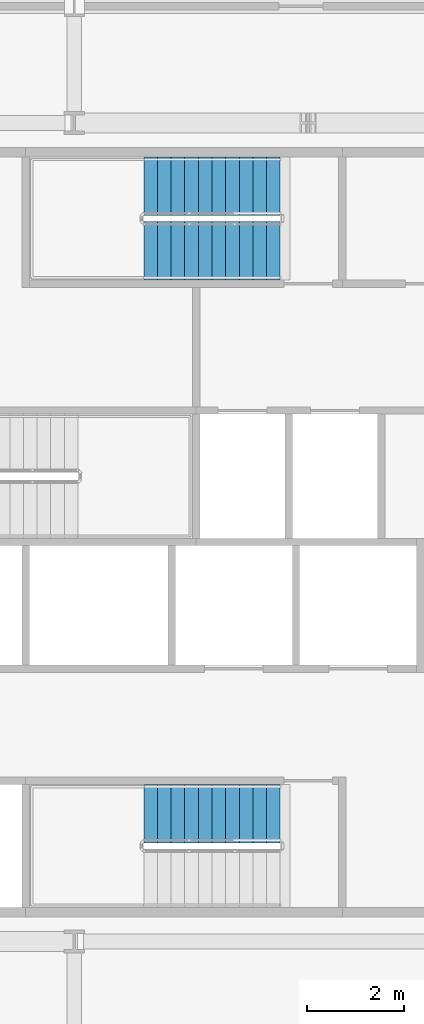
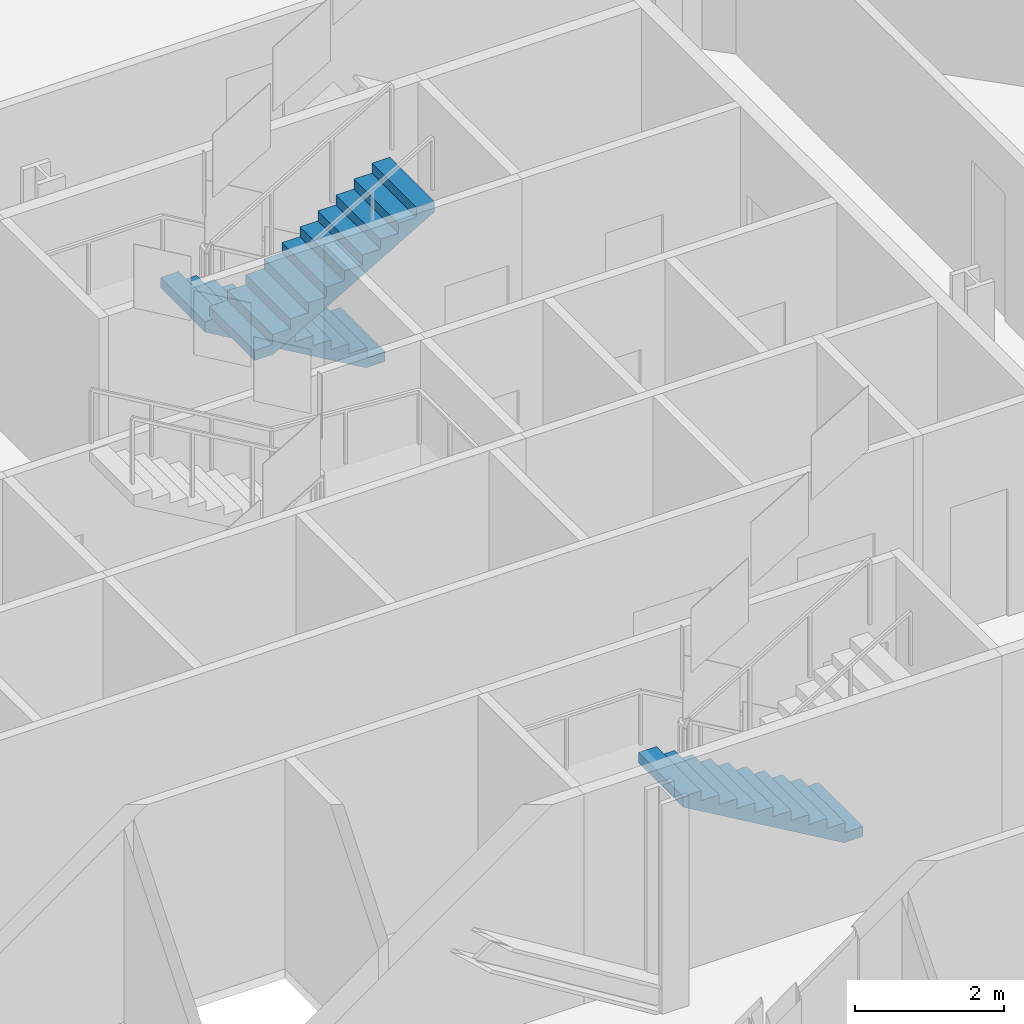
# One storey, part 14 of 21: 3 stair flights, 2 elements without a shape of their own.
"""IFC4 building model written with IfcOpenShell, lengths in metres."""

from ifc_helpers import new_model, si_unit, direction, frame, origin, place, context, subcontext, project, spatial, polyline, outline, extrude, material, type_object, element, aggregate, save


model = new_model("IFC4")

# Units and contexts
model_context = context("Model", 3, precision=1e-05, world=origin(), true_north=direction((0.0, 1.0)))
body_context = subcontext(model_context, "Body", "Model", "MODEL_VIEW")
ifc_project = project(units=[si_unit("LENGTHUNIT", "METRE"), si_unit("AREAUNIT", "SQUARE_METRE"), si_unit("VOLUMEUNIT", "CUBIC_METRE"), si_unit("PLANEANGLEUNIT", "RADIAN"), si_unit("MASSUNIT", "GRAM", prefix="KILO")], contexts=[model_context])

# Site, building, storey
site_placement = place(None, origin())
site = spatial("IfcSite", under=ifc_project, at=site_placement, CompositionType="ELEMENT")
building_placement = place(site_placement, origin())
building = spatial("IfcBuilding", under=site, at=building_placement, Name="Cairn Pilgrim Tower", CompositionType="ELEMENT")
storey_placement = place(building_placement, frame((0.0, 0.0, 129.0)))
storey = spatial("IfcBuildingStorey", under=building, at=storey_placement, Name="L31", CompositionType="ELEMENT", Elevation=129.0)

# Stair, stair flight
ifc_material = material(Name="Concrete C32/40", Category="concrete")
stair_type = type_object("IfcStairType", Name="EXIT STAIR 1200", PredefinedType="HALF_TURN_STAIR", material=ifc_material)
stair_1_placement = place(storey_placement, origin())
stair_1 = element("IfcStair", 1, at=stair_1_placement, inside=storey, type_object=stair_type, Name="L31 Exit Stair A", PredefinedType="HALF_TURN_STAIR")
stair_flight_type = type_object("IfcStairFlightType", Name="STAIR FLIGHT 1200", PredefinedType="STRAIGHT", material=ifc_material)
stair_flight_1_placement = place(storey_placement, frame((11.425048828125, -3.375, 0.0), z_axis=(0.0, 0.0, 1.0), x_axis=(-1.0, 0.0, 0.0)))
stair_flight_1 = element("IfcStairFlight", 2, at=stair_flight_1_placement, type_object=stair_flight_type, Name="ST-A flight 1", NumberOfRisers=11, NumberOfTreads=10, PredefinedType="STRAIGHT", RiserHeight=0.163636364, TreadLength=0.28, context=body_context, shape_type="SweptSolid", body=[
    extrude(outline(polyline([(0.0, 0.0), (0.0, 0.16357421875), (0.280029296875, 0.16357421875), (0.280029296875, 0.327392578125), (0.56005859375, 0.327392578125), (0.56005859375, 0.490966796875), (0.840087890625, 0.490966796875), (0.840087890625, 0.654541015625), (1.1201171875, 0.654541015625), (1.1201171875, 0.818115234375), (1.39990234375, 0.818115234375), (1.39990234375, 0.98193359375), (1.679931640625, 0.98193359375), (1.679931640625, 1.1455078125), (1.9599609375, 1.1455078125), (1.9599609375, 1.30908203125), (2.239990234375, 1.30908203125), (2.239990234375, 1.47265625), (2.52001953125, 1.47265625), (2.52001953125, 1.636474609375), (2.800048828125, 1.636474609375), (2.800048828125, 1.800048828125), (2.800048828125, 1.462646484375), (0.297119140625, 0.0), (0.0, 0.0)])), frame((0.0, 0.60009765625, 0.0), z_axis=(0.0, -1.0, 0.0), x_axis=(1.0, 0.0, 0.0)), (0.0, 0.0, 1.0), 1.199951171875),
])
aggregate(stair_1, [stair_flight_1])

# Stair, stair flights
stair_2_placement = place(storey_placement, origin())
stair_2 = element("IfcStair", 3, at=stair_2_placement, inside=storey, type_object=stair_type, Name="L31 Exit Stair C", PredefinedType="HALF_TURN_STAIR")
stair_flight_2_placement = place(storey_placement, frame((11.425048828125, 9.5, 0.0), z_axis=(0.0, 0.0, 1.0), x_axis=(-1.0, 0.0, 0.0)))
stair_flight_2 = element("IfcStairFlight", 4, at=stair_flight_2_placement, type_object=stair_flight_type, Name="ST-C flight 1", NumberOfRisers=11, NumberOfTreads=10, PredefinedType="STRAIGHT", RiserHeight=0.163636364, TreadLength=0.28, context=body_context, shape_type="SweptSolid", body=[
    extrude(outline(polyline([(0.0, 0.0), (0.0, 0.16357421875), (0.280029296875, 0.16357421875), (0.280029296875, 0.327392578125), (0.56005859375, 0.327392578125), (0.56005859375, 0.490966796875), (0.840087890625, 0.490966796875), (0.840087890625, 0.654541015625), (1.1201171875, 0.654541015625), (1.1201171875, 0.818115234375), (1.39990234375, 0.818115234375), (1.39990234375, 0.98193359375), (1.679931640625, 0.98193359375), (1.679931640625, 1.1455078125), (1.9599609375, 1.1455078125), (1.9599609375, 1.30908203125), (2.239990234375, 1.30908203125), (2.239990234375, 1.47265625), (2.52001953125, 1.47265625), (2.52001953125, 1.636474609375), (2.800048828125, 1.636474609375), (2.800048828125, 1.800048828125), (2.800048828125, 1.462646484375), (0.297119140625, 0.0), (0.0, 0.0)])), frame((0.0, 0.60009765625, 0.0), z_axis=(0.0, -1.0, 0.0), x_axis=(1.0, 0.0, 0.0)), (0.0, 0.0, 1.0), 1.199951171875),
])
stair_flight_3_placement = place(storey_placement, frame((8.625, 8.175048828125, 1.800048828125), z_axis=(0.0, 0.0, 1.0), x_axis=(1.0, 0.0, 0.0)))
stair_flight_3 = element("IfcStairFlight", 5, at=stair_flight_3_placement, type_object=stair_flight_type, Name="ST-C flight 2", NumberOfRisers=11, NumberOfTreads=10, PredefinedType="STRAIGHT", RiserHeight=0.163636364, TreadLength=0.28, context=body_context, shape_type="SweptSolid", body=[
    extrude(outline(polyline([(0.0, 0.0), (0.0, 0.16357421875), (0.280029296875, 0.16357421875), (0.280029296875, 0.327392578125), (0.56005859375, 0.327392578125), (0.56005859375, 0.490966796875), (0.840087890625, 0.490966796875), (0.840087890625, 0.654541015625), (1.1201171875, 0.654541015625), (1.1201171875, 0.818115234375), (1.39990234375, 0.818115234375), (1.39990234375, 0.98193359375), (1.679931640625, 0.98193359375), (1.679931640625, 1.1455078125), (1.9599609375, 1.1455078125), (1.9599609375, 1.30908203125), (2.239990234375, 1.30908203125), (2.239990234375, 1.47265625), (2.52001953125, 1.47265625), (2.52001953125, 1.636474609375), (2.800048828125, 1.636474609375), (2.800048828125, 1.800048828125), (2.800048828125, 1.462646484375), (0.297119140625, 0.0), (0.0, 0.0)])), frame((0.0, 0.60009765625, 0.0), z_axis=(0.0, -1.0, 0.0), x_axis=(1.0, 0.0, 0.0)), (0.0, 0.0, 1.0), 1.199951171875),
])
aggregate(stair_2, [stair_flight_2, stair_flight_3])

save(model, "model.ifc")
